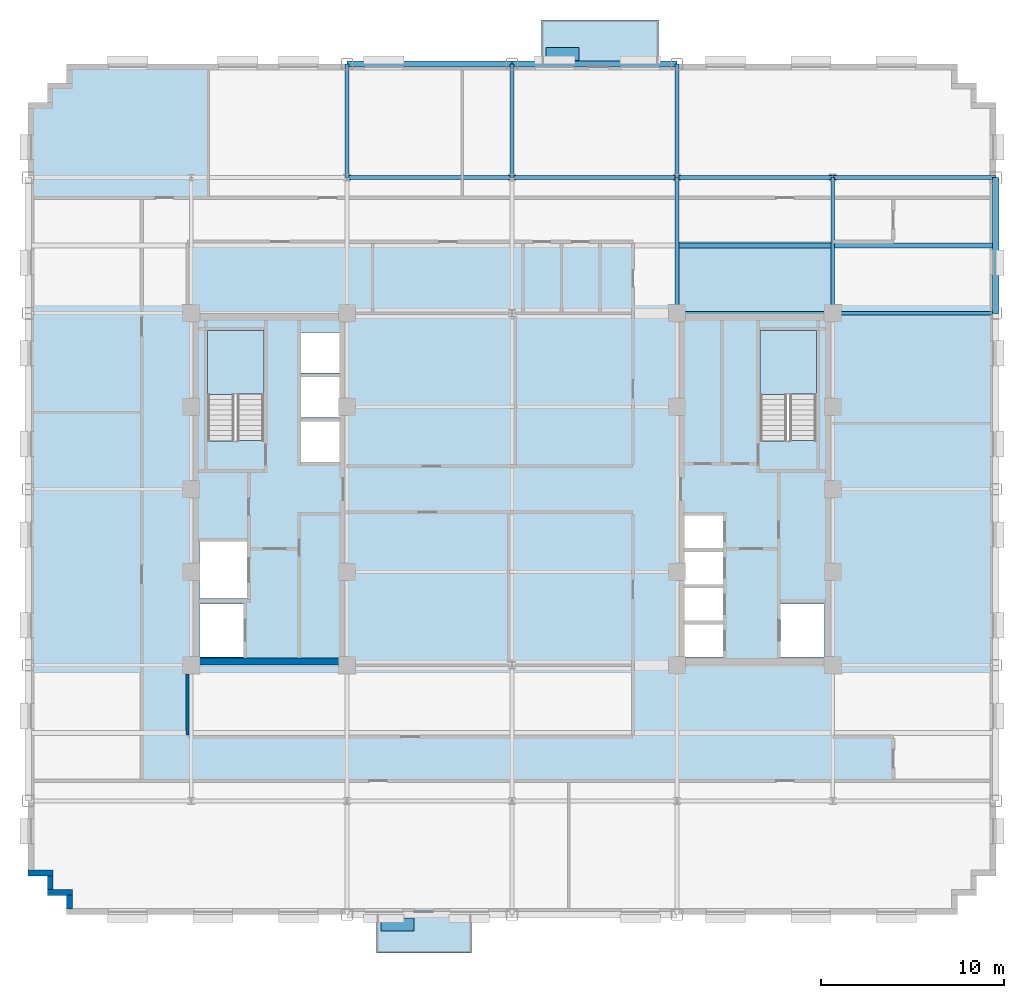
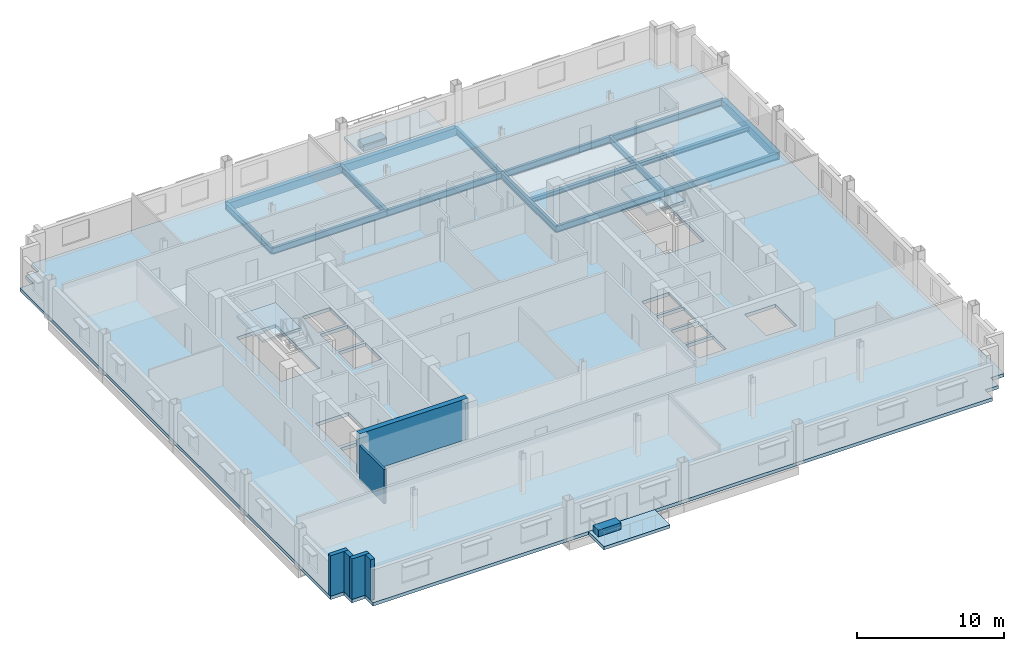
# One storey, part 5 of 14: 16 beams, 6 walls, 5 slabs, 2 plates, 2 elements without a shape of their own.
"""IFC4 building model written with IfcOpenShell, lengths in metres."""

from ifc_helpers import new_model, si_unit, direction, frame, frame_2d, origin, origin_2d, place, context, subcontext, project, spatial, polyline, rectangle, i_section, outline, extrude, source, transform, mapped, material, layer, layer_set, material_profile, profile_set, type_object, type_shapes, element, aggregate, save


model = new_model("IFC4")

# Units and contexts
model_context = context("Model", 3, precision=1e-05, world=origin(), true_north=direction((0.0, 1.0)))
body_context = subcontext(model_context, "Body", "Model", "MODEL_VIEW")
ifc_project = project(units=[si_unit("LENGTHUNIT", "METRE"), si_unit("AREAUNIT", "SQUARE_METRE"), si_unit("VOLUMEUNIT", "CUBIC_METRE"), si_unit("PLANEANGLEUNIT", "RADIAN"), si_unit("MASSUNIT", "GRAM", prefix="KILO")], contexts=[model_context])

# Site, building, storey
site_placement = place(None, origin())
site = spatial("IfcSite", under=ifc_project, at=site_placement, CompositionType="ELEMENT")
building_placement = place(site_placement, origin())
building = spatial("IfcBuilding", under=site, at=building_placement, Name="Nuvemarco Arch Tower", CompositionType="ELEMENT")
storey_placement = place(building_placement, frame((0.0, 0.0, 145.75)))
storey = spatial("IfcBuildingStorey", under=building, at=storey_placement, Name="L38", CompositionType="ELEMENT", Elevation=145.75)

# Beams
ifc_material_1 = material(Name="Steel S355", Category="steel")
ifc_material_profile_1 = material_profile(ifc_material_1, i_section(OverallWidth=0.2109375, OverallDepth=0.5390625, WebThickness=0.01171875, FlangeThickness=0.018798828125, FilletRadius=0.01611328125, at=origin_2d()), Name="W530x109")
ifc_profile_set_1 = profile_set([ifc_material_profile_1], Name="Steel S355")
beam_type_1 = type_object("IfcBeamType", Name="BM-GIRD-530", PredefinedType="BEAM", material=ifc_profile_set_1)
for number, where, z_axis, x_axis, name in (
    (1, (-9.0, 17.0, -0.549560546875), (0.0, 1.0, 0.0), (-1.0, 0.0, 0.0), "L38 structural beam BGNS_L38_0_-9.0_+17.0"),
    (2, (0.0, 17.0, -0.549560546875), (0.0, 1.0, 0.0), (-1.0, 0.0, 0.0), "L38 structural beam BGNS_L38_0_+0.0_+17.0"),
):
    element("IfcBeam", number, at=place(storey_placement, frame(where, z_axis=z_axis, x_axis=x_axis)), inside=storey, type_object=beam_type_1, Name=name, PredefinedType="BEAM", context=body_context, shape_type="SweptSolid", body=[
        extrude(i_section(OverallWidth=0.2109375, OverallDepth=0.5390625, WebThickness=0.01171875, FlangeThickness=0.018798828125, FilletRadius=0.01611328125, at=origin_2d()), origin(), (0.0, 0.0, 1.0), 6.199951171875),
    ])
beam_1_placement = place(storey_placement, frame((9.0, 9.60009765625, -0.549560546875), z_axis=(0.0, 1.0, 0.0), x_axis=(-1.0, 0.0, 0.0)))
element("IfcBeam", 3, at=beam_1_placement, inside=storey, type_object=beam_type_1, Name="L38 structural beam BGNS_L38_0_+9.0_+9.6", PredefinedType="BEAM", context=body_context, shape_type="SweptSolid", body=[
    extrude(i_section(OverallWidth=0.2109375, OverallDepth=0.5390625, WebThickness=0.01171875, FlangeThickness=0.018798828125, FilletRadius=0.01611328125, at=origin_2d()), origin(), (0.0, 0.0, 1.0), 7.39990234375),
])
beam_2_placement = place(storey_placement, frame((9.0, 17.0, -0.549560546875), z_axis=(0.0, 1.0, 0.0), x_axis=(-1.0, 0.0, 0.0)))
element("IfcBeam", 4, at=beam_2_placement, inside=storey, type_object=beam_type_1, Name="L38 structural beam BGNS_L38_0_+9.0_+17.0", PredefinedType="BEAM", context=body_context, shape_type="SweptSolid", body=[
    extrude(i_section(OverallWidth=0.2109375, OverallDepth=0.5390625, WebThickness=0.01171875, FlangeThickness=0.018798828125, FilletRadius=0.01611328125, at=origin_2d()), origin(), (0.0, 0.0, 1.0), 6.199951171875),
])
beam_3_placement = place(storey_placement, frame((17.5, 9.60009765625, -0.549560546875), z_axis=(0.0, 1.0, 0.0), x_axis=(-1.0, 0.0, 0.0)))
element("IfcBeam", 5, at=beam_3_placement, inside=storey, type_object=beam_type_1, Name="L38 structural beam BGNS_L38_0_+17.5_+9.6", PredefinedType="BEAM", context=body_context, shape_type="SweptSolid", body=[
    extrude(i_section(OverallWidth=0.2109375, OverallDepth=0.5390625, WebThickness=0.01171875, FlangeThickness=0.018798828125, FilletRadius=0.01611328125, at=origin_2d()), origin(), (0.0, 0.0, 1.0), 7.39990234375),
])
beam_4_placement = place(storey_placement, frame((9.0, 9.60009765625, -0.549560546875), z_axis=(1.0, 0.0, 0.0), x_axis=(0.0, 1.0, 0.0)))
element("IfcBeam", 6, at=beam_4_placement, inside=storey, type_object=beam_type_1, Name="L38 structural beam BGEW_L38_0_+9.6_+9.0", PredefinedType="BEAM", context=body_context, shape_type="SweptSolid", body=[
    extrude(i_section(OverallWidth=0.2109375, OverallDepth=0.5390625, WebThickness=0.01171875, FlangeThickness=0.018798828125, FilletRadius=0.01611328125, at=origin_2d()), origin(), (0.0, 0.0, 1.0), 8.5),
])
beam_5_placement = place(storey_placement, frame((17.5, 9.60009765625, -0.549560546875), z_axis=(1.0, 0.0, 0.0), x_axis=(0.0, 1.0, 0.0)))
element("IfcBeam", 7, at=beam_5_placement, inside=storey, type_object=beam_type_1, Name="L38 structural beam BGEW_L38_0_+9.6_+17.5", PredefinedType="BEAM", context=body_context, shape_type="SweptSolid", body=[
    extrude(i_section(OverallWidth=0.2109375, OverallDepth=0.5390625, WebThickness=0.01171875, FlangeThickness=0.018798828125, FilletRadius=0.01611328125, at=origin_2d()), origin(), (0.0, 0.0, 1.0), 8.89990234375),
])
for number, where, z_axis, x_axis, name in (
    (8, (-9.0, 17.0, -0.549560546875), (1.0, 0.0, 0.0), (0.0, 1.0, 0.0), "L38 structural beam BGEW_L38_0_+17.0_-9.0"),
    (9, (0.0, 17.0, -0.549560546875), (1.0, 0.0, 0.0), (0.0, 1.0, 0.0), "L38 structural beam BGEW_L38_0_+17.0_+0.0"),
):
    element("IfcBeam", number, at=place(storey_placement, frame(where, z_axis=z_axis, x_axis=x_axis)), inside=storey, type_object=beam_type_1, Name=name, PredefinedType="BEAM", context=body_context, shape_type="SweptSolid", body=[
        extrude(i_section(OverallWidth=0.2109375, OverallDepth=0.5390625, WebThickness=0.01171875, FlangeThickness=0.018798828125, FilletRadius=0.01611328125, at=origin_2d()), origin(), (0.0, 0.0, 1.0), 9.0),
    ])
beam_6_placement = place(storey_placement, frame((9.0, 17.0, -0.549560546875), z_axis=(1.0, 0.0, 0.0), x_axis=(0.0, 1.0, 0.0)))
element("IfcBeam", 10, at=beam_6_placement, inside=storey, type_object=beam_type_1, Name="L38 structural beam BGEW_L38_0_+17.0_+9.0", PredefinedType="BEAM", context=body_context, shape_type="SweptSolid", body=[
    extrude(i_section(OverallWidth=0.2109375, OverallDepth=0.5390625, WebThickness=0.01171875, FlangeThickness=0.018798828125, FilletRadius=0.01611328125, at=origin_2d()), origin(), (0.0, 0.0, 1.0), 8.5),
])
beam_7_placement = place(storey_placement, frame((17.5, 17.0, -0.549560546875), z_axis=(1.0, 0.0, 0.0), x_axis=(0.0, 1.0, 0.0)))
element("IfcBeam", 11, at=beam_7_placement, inside=storey, type_object=beam_type_1, Name="L38 structural beam BGEW_L38_0_+17.0_+17.5", PredefinedType="BEAM", context=body_context, shape_type="SweptSolid", body=[
    extrude(i_section(OverallWidth=0.2109375, OverallDepth=0.5390625, WebThickness=0.01171875, FlangeThickness=0.018798828125, FilletRadius=0.01611328125, at=origin_2d()), origin(), (0.0, 0.0, 1.0), 8.89990234375),
])
ifc_material_profile_2 = material_profile(ifc_material_1, i_section(OverallWidth=0.2548828125, OverallDepth=0.35693359375, WebThickness=0.010498046875, FlangeThickness=0.018310546875, FilletRadius=0.014892578125, at=origin_2d()), Name="W360x101")
ifc_profile_set_2 = profile_set([ifc_material_profile_2], Name="Steel S355")
beam_type_2 = type_object("IfcBeamType", Name="BM-JOIST-360H", PredefinedType="JOIST", material=ifc_profile_set_2)
beam_8_placement = place(storey_placement, frame((9.10546875, 13.300048828125, -0.45849609375), z_axis=(1.0, 0.0, 0.0), x_axis=(0.0, 1.0, 0.0)))
element("IfcBeam", 12, at=beam_8_placement, inside=storey, type_object=beam_type_2, Name="L38 structural beam BJ_L38_0_+13.3_+9.0", PredefinedType="JOIST", context=body_context, shape_type="SweptSolid", body=[
    extrude(i_section(OverallWidth=0.2548828125, OverallDepth=0.35693359375, WebThickness=0.010498046875, FlangeThickness=0.018310546875, FilletRadius=0.014892578125, at=origin_2d()), origin(), (0.0, 0.0, 1.0), 8.2890625),
])
beam_9_placement = place(storey_placement, frame((17.60546875, 13.300048828125, -0.45849609375), z_axis=(1.0, 0.0, 0.0), x_axis=(0.0, 1.0, 0.0)))
element("IfcBeam", 13, at=beam_9_placement, inside=storey, type_object=beam_type_2, Name="L38 structural beam BJ_L38_0_+13.3_+17.5", PredefinedType="JOIST", context=body_context, shape_type="SweptSolid", body=[
    extrude(i_section(OverallWidth=0.2548828125, OverallDepth=0.35693359375, WebThickness=0.010498046875, FlangeThickness=0.018310546875, FilletRadius=0.014892578125, at=origin_2d()), origin(), (0.0, 0.0, 1.0), 8.61962890625),
])
ifc_material_2 = material(Name="Precast concrete C45/55", Category="concrete")
ifc_material_profile_3 = material_profile(ifc_material_2, rectangle(XDim=0.35009765625, YDim=0.64990234375, at=origin_2d()), Name="PC-SP-350x650")
ifc_profile_set_3 = profile_set([ifc_material_profile_3], Name="Precast concrete C45/55")
beam_type_3 = type_object("IfcBeamType", Name="BM-SPAN-RC", PredefinedType="SPANDREL", material=ifc_profile_set_3)
beam_10_placement = place(storey_placement, frame((26.39990234375, 9.60009765625, -0.60498046875), z_axis=(0.0, 1.0, 0.0), x_axis=(-1.0, 0.0, 0.0)))
element("IfcBeam", 14, at=beam_10_placement, inside=storey, type_object=beam_type_3, Name="L38 structural beam BGNS_L38_0_+26.4_+9.6", PredefinedType="SPANDREL", context=body_context, shape_type="SweptSolid", body=[
    extrude(rectangle(XDim=0.35009765625, YDim=0.64990234375, at=origin_2d()), origin(), (0.0, 0.0, 1.0), 7.39990234375),
])
for number, where, z_axis, x_axis, name in (
    (15, (-9.0, 23.199951171875, -0.60498046875), (1.0, 0.0, 0.0), (0.0, 1.0, 0.0), "L38 structural beam BGEW_L38_0_+23.2_-9.0"),
    (16, (0.0, 23.199951171875, -0.60498046875), (1.0, 0.0, 0.0), (0.0, 1.0, 0.0), "L38 structural beam BGEW_L38_0_+23.2_+0.0"),
):
    element("IfcBeam", number, at=place(storey_placement, frame(where, z_axis=z_axis, x_axis=x_axis)), inside=storey, type_object=beam_type_3, Name=name, PredefinedType="SPANDREL", context=body_context, shape_type="SweptSolid", body=[
        extrude(rectangle(XDim=0.35009765625, YDim=0.64990234375, at=origin_2d()), origin(), (0.0, 0.0, 1.0), 9.0),
    ])

# Slab
ifc_material_3 = material(Name="Concrete C50/60", Category="concrete")
ifc_layer_1 = layer(ifc_material_3, 0.280029296875, Name="SL-FLR-280")
ifc_layer_set_1 = layer_set([ifc_layer_1], Name="Concrete C50/60")
slab_type_1 = type_object("IfcSlabType", Name="SL-FLR-280", PredefinedType="FLOOR", material=ifc_layer_set_1)
slab_1_placement = place(storey_placement, frame((0.0, 0.0, -0.280029296875)))
element("IfcSlab", 17, at=slab_1_placement, inside=storey, type_object=slab_type_1, Name="L38 structural floor slab", PredefinedType="FLOOR", context=body_context, shape_type="SweptSolid", body=[
    extrude(outline(polyline([(-24.300048828125, -23.199951171875), (24.300048828125, -23.199951171875), (24.300048828125, -22.14990234375), (25.35009765625, -22.14990234375), (25.35009765625, -21.10009765625), (26.39990234375, -21.10009765625), (26.39990234375, 21.10009765625), (25.35009765625, 21.10009765625), (25.35009765625, 22.14990234375), (24.300048828125, 22.14990234375), (24.300048828125, 23.199951171875), (-24.300048828125, 23.199951171875), (-24.300048828125, 22.14990234375), (-25.35009765625, 22.14990234375), (-25.35009765625, 21.10009765625), (-26.39990234375, 21.10009765625), (-26.39990234375, -21.10009765625), (-25.35009765625, -21.10009765625), (-25.35009765625, -22.14990234375), (-24.300048828125, -22.14990234375), (-24.300048828125, -23.199951171875)]), holes=[polyline([(-13.5400390625, 2.669921875), (-13.5400390625, 8.64990234375), (-16.60009765625, 8.64990234375), (-16.60009765625, 2.630615234375), (-15.070068359375, 2.630615234375), (-15.070068359375, 2.669921875), (-13.5400390625, 2.669921875)]), polyline([(16.60009765625, 2.669921875), (16.60009765625, 8.64990234375), (13.5400390625, 8.64990234375), (13.5400390625, 2.630615234375), (15.070068359375, 2.630615234375), (15.070068359375, 2.669921875), (16.60009765625, 2.669921875)]), polyline([(-17.050048828125, -9.14990234375), (-14.64990234375, -9.14990234375), (-14.64990234375, -6.25), (-17.050048828125, -6.25), (-17.050048828125, -9.14990234375)]), polyline([(-17.050048828125, -5.949951171875), (-14.449951171875, -5.949951171875), (-14.449951171875, -2.85009765625), (-17.050048828125, -2.85009765625), (-17.050048828125, -5.949951171875)]), polyline([(-11.5, 1.5), (-9.35009765625, 1.5), (-9.35009765625, 3.699951171875), (-11.5, 3.699951171875), (-11.5, 1.5)]), polyline([(-11.5, 3.919921875), (-9.35009765625, 3.919921875), (-9.35009765625, 6.1201171875), (-11.5, 6.1201171875), (-11.5, 3.919921875)]), polyline([(-11.5, 6.340087890625), (-9.35009765625, 6.340087890625), (-9.35009765625, 8.5400390625), (-11.5, 8.5400390625), (-11.5, 6.340087890625)]), polyline([(14.64990234375, -9.14990234375), (17.050048828125, -9.14990234375), (17.050048828125, -6.25), (14.64990234375, -6.25), (14.64990234375, -9.14990234375)]), polyline([(9.35009765625, -9.14990234375), (11.5, -9.14990234375), (11.5, -7.3701171875), (9.35009765625, -7.3701171875), (9.35009765625, -9.14990234375)]), polyline([(9.35009765625, -7.169921875), (11.5, -7.169921875), (11.5, -5.389892578125), (9.35009765625, -5.389892578125), (9.35009765625, -7.169921875)]), polyline([(9.35009765625, -5.18994140625), (11.5, -5.18994140625), (11.5, -3.409912109375), (9.35009765625, -3.409912109375), (9.35009765625, -5.18994140625)]), polyline([(9.35009765625, -3.2099609375), (11.5, -3.2099609375), (11.5, -1.429931640625), (9.35009765625, -1.429931640625), (9.35009765625, -3.2099609375)])]), origin(), (0.0, 0.0, 1.0), 0.280029296875),
])

# Stair, slab
stair_type = type_object("IfcStairType", Name="ST-CORE-20R", PredefinedType="HALF_TURN_STAIR", material=ifc_material_2)
stair_1_placement = place(storey_placement, origin())
stair_1 = element("IfcStair", 18, at=stair_1_placement, inside=storey, type_object=stair_type, Name="L38 Protected Exit Stair ST-1", PredefinedType="HALF_TURN_STAIR")
ifc_layer_2 = layer(ifc_material_2, 0.199951171875, Name="SL-LANDING-200")
ifc_layer_set_2 = layer_set([ifc_layer_2], Name="Precast concrete C45/55")
slab_type_2 = type_object("IfcSlabType", Name="SL-LANDING-200", PredefinedType="LANDING", material=ifc_layer_set_2)
slab_2_placement = place(storey_placement, frame((0.0, 0.0, 1.625)))
slab_2 = element("IfcSlab", 19, at=slab_2_placement, type_object=slab_type_2, Name="ST-20R landing 1", PredefinedType="LANDING", context=body_context, shape_type="SweptSolid", body=[
    extrude(outline(polyline([(-13.5400390625, 5.189453125), (-13.5400390625, 8.64990234375), (-16.60009765625, 8.64990234375), (-16.60009765625, 5.169921875), (-15.070068359375, 5.169921875), (-15.070068359375, 5.189453125), (-13.5400390625, 5.189453125)])), origin(), (0.0, 0.0, 1.0), 0.199951171875),
])
aggregate(stair_1, [slab_2])

stair_2_placement = place(storey_placement, origin())
stair_2 = element("IfcStair", 20, at=stair_2_placement, inside=storey, type_object=stair_type, Name="L38 Protected Exit Stair ST-2", PredefinedType="HALF_TURN_STAIR")
slab_3_placement = place(storey_placement, frame((0.0, 0.0, 1.625)))
slab_3 = element("IfcSlab", 21, at=slab_3_placement, type_object=slab_type_2, Name="ST-20R landing 1", PredefinedType="LANDING", context=body_context, shape_type="SweptSolid", body=[
    extrude(outline(polyline([(16.60009765625, 5.189453125), (16.60009765625, 8.64990234375), (13.5400390625, 8.64990234375), (13.5400390625, 5.169921875), (15.070068359375, 5.169921875), (15.070068359375, 5.189453125), (16.60009765625, 5.189453125)])), origin(), (0.0, 0.0, 1.0), 0.199951171875),
])
aggregate(stair_2, [slab_3])

# Slabs
ifc_layer_3 = layer(ifc_material_3, 0.264892578125, Name="SL-TB1")
ifc_layer_set_3 = layer_set([ifc_layer_3], Name="Concrete C50/60")
slab_type_3 = type_object("IfcSlabType", Name="SL-TB1", PredefinedType="FLOOR", material=ifc_layer_set_3)
slab_4_placement = place(storey_placement, frame((0.0, 0.0, -0.264892578125)))
element("IfcSlab", 22, at=slab_4_placement, inside=storey, type_object=slab_type_3, Name="L38 outdoor tree balcony slab 2", PredefinedType="FLOOR", context=body_context, shape_type="SweptSolid", body=[
    extrude(outline(polyline([(-7.39990234375, -25.300048828125), (-2.199951171875, -25.300048828125), (-2.199951171875, -23.199951171875), (-7.39990234375, -23.199951171875), (-7.39990234375, -25.300048828125)])), origin(), (0.0, 0.0, 1.0), 0.264892578125),
])
ifc_layer_4 = layer(ifc_material_3, 0.294921875, Name="SL-TR4")
ifc_layer_set_4 = layer_set([ifc_layer_4], Name="Concrete C50/60")
slab_type_4 = type_object("IfcSlabType", Name="SL-TR4", PredefinedType="FLOOR", material=ifc_layer_set_4)
slab_5_placement = place(storey_placement, frame((0.0, 0.0, -0.294921875)))
element("IfcSlab", 23, at=slab_5_placement, inside=storey, type_object=slab_type_4, Name="L38 outdoor spiral terrace slab 1", PredefinedType="FLOOR", context=body_context, shape_type="SweptSolid", body=[
    extrude(outline(polyline([(1.60009765625, 23.199951171875), (8.0, 23.199951171875), (8.0, 25.60009765625), (1.60009765625, 25.60009765625), (1.60009765625, 23.199951171875)])), origin(), (0.0, 0.0, 1.0), 0.294921875),
])

# Plates
ifc_layer_5 = layer(ifc_material_2, 0.550048828125, Name="Tree Balcony Structural Planter")
ifc_layer_set_5 = layer_set([ifc_layer_5], Name="Precast concrete C45/55")
plate_type = type_object("IfcPlateType", Name="Tree Balcony Structural Planter", PredefinedType="USERDEFINED", material=ifc_layer_set_5)
shared_shape = source(origin(), body_context, "Body", "SweptSolid", [
    extrude(rectangle(XDim=1.800048828125, YDim=0.699951171875, at=origin_2d()), origin(), (0.0, 0.0, 1.0), 0.550048828125),
])
type_shapes(plate_type, [shared_shape])
for number, where, z_axis, x_axis, name in (
    (24, (2.75, 23.75, 0.0), (0.0, 0.0, 1.0), (1.0, 0.0, 0.0), "L38 Tree Balcony Structural Planter"),
    (25, (-6.25, -23.75, 0.0), (0.0, 0.0, 1.0), (1.0, 0.0, 0.0), "L38 Tree Balcony Structural Planter"),
):
    element("IfcPlate", number, at=place(storey_placement, frame(where, z_axis=z_axis, x_axis=x_axis)), inside=storey, type_object=plate_type, Name=name, ObjectType="PLANTER", PredefinedType="USERDEFINED", context=body_context, shape_type="MappedRepresentation", body=[
        mapped(shared_shape, transform((0.0, 0.0, 0.0), scale=1.0)),
    ])

# Walls
ifc_layer_6 = layer(ifc_material_2, 0.320068359375, Name="EW-MID-320")
ifc_layer_set_6 = layer_set([ifc_layer_6], Name="Precast concrete C45/55")
wall_type_1 = type_object("IfcWallType", Name="EW-MID-320", PredefinedType="STANDARD", material=ifc_layer_set_6)
wall_1_placement = place(storey_placement, frame((-26.39990234375, -20.93994140625, 0.0), z_axis=(0.0, 0.0, 1.0), x_axis=(1.0, 0.0, 0.0)))
element("IfcWall", 26, at=wall_1_placement, inside=storey, type_object=wall_type_1, Name="L38 exterior precast facade wall 17", PredefinedType="STANDARD", context=body_context, shape_type="SweptSolid", body=[
    extrude(rectangle(XDim=1.369873046875, YDim=0.320068359375, at=frame_2d((0.68505859375, 0.0))), origin(), (0.0, 0.0, 1.0), 3.360107421875),
])
wall_2_placement = place(storey_placement, frame((-25.18994140625, -21.833984375, 0.0), z_axis=(0.0, 0.0, 1.0), x_axis=(0.0, 1.0, 0.0)))
element("IfcWall", 27, at=wall_2_placement, inside=storey, type_object=wall_type_1, Name="L38 exterior precast facade wall 18", PredefinedType="STANDARD", context=body_context, shape_type="SweptSolid", body=[
    extrude(rectangle(XDim=0.738037109375, YDim=0.320068359375, at=frame_2d((0.369140625, 0.0))), origin(), (0.0, 0.0, 1.0), 3.360107421875),
])
wall_3_placement = place(storey_placement, frame((-25.35009765625, -21.989990234375, 0.0), z_axis=(0.0, 0.0, 1.0), x_axis=(1.0, 0.0, 0.0)))
element("IfcWall", 28, at=wall_3_placement, inside=storey, type_object=wall_type_1, Name="L38 exterior precast facade wall 19", PredefinedType="STANDARD", context=body_context, shape_type="SweptSolid", body=[
    extrude(rectangle(XDim=1.3701171875, YDim=0.320068359375, at=frame_2d((0.68505859375, 0.0))), origin(), (0.0, 0.0, 1.0), 3.360107421875),
])
wall_4_placement = place(storey_placement, frame((-24.139892578125, -22.884033203125, 0.0), z_axis=(0.0, 0.0, 1.0), x_axis=(0.0, 1.0, 0.0)))
element("IfcWall", 29, at=wall_4_placement, inside=storey, type_object=wall_type_1, Name="L38 exterior precast facade wall 20", PredefinedType="STANDARD", context=body_context, shape_type="SweptSolid", body=[
    extrude(rectangle(XDim=0.738037109375, YDim=0.320068359375, at=frame_2d((0.369140625, 0.0))), origin(), (0.0, 0.0, 1.0), 3.360107421875),
])
ifc_material_4 = material(Name="Concrete C60/75", Category="concrete")
ifc_layer_7 = layer(ifc_material_4, 0.39990234375, Name="WL-CORE-400")
ifc_layer_set_7 = layer_set([ifc_layer_7], Name="Concrete C60/75")
wall_type_2 = type_object("IfcWallType", Name="WL-CORE-400", PredefinedType="SHEAR", material=ifc_layer_set_7)
wall_5_placement = place(storey_placement, frame((-17.5, -9.39990234375, 0.0), z_axis=(0.0, 0.0, 1.0), x_axis=(1.0, 0.0, 0.0)))
element("IfcWall", 30, at=wall_5_placement, inside=storey, type_object=wall_type_2, Name="L38 W-core shear wall S", PredefinedType="SHEAR", context=body_context, shape_type="SweptSolid", body=[
    extrude(rectangle(XDim=8.5, YDim=0.39990234375, at=frame_2d((4.25, 0.0))), origin(), (0.0, 0.0, 1.0), 3.3701171875),
])
ifc_material_5 = material(Name="Fire-rated gypsum drywall partition")
ifc_layer_8 = layer(ifc_material_5, 0.179931640625, Name="WL-CORR-180")
ifc_layer_set_8 = layer_set([ifc_layer_8], Name="Fire-rated gypsum drywall partition")
wall_type_3 = type_object("IfcWallType", Name="WL-CORR-180", PredefinedType="PARTITIONING", material=ifc_layer_set_8)
wall_6_placement = place(storey_placement, frame((-17.699951171875, -13.4140625, 0.0), z_axis=(0.0, 0.0, 1.0), x_axis=(0.0, 1.0, 0.0)))
element("IfcWall", 31, at=wall_6_placement, inside=storey, type_object=wall_type_3, Name="L38 interior wall IW-L38-016", PredefinedType="PARTITIONING", context=body_context, shape_type="SweptSolid", body=[
    extrude(rectangle(XDim=3.343017578125, YDim=0.179931640625, at=frame_2d((1.67138671875, 0.0))), origin(), (0.0, 0.0, 1.0), 2.81591796875),
])

save(model, "model.ifc")
